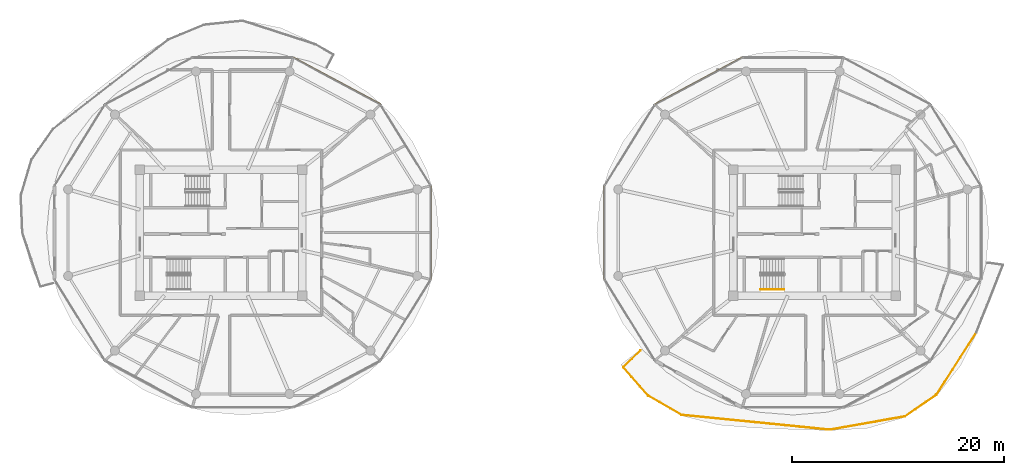
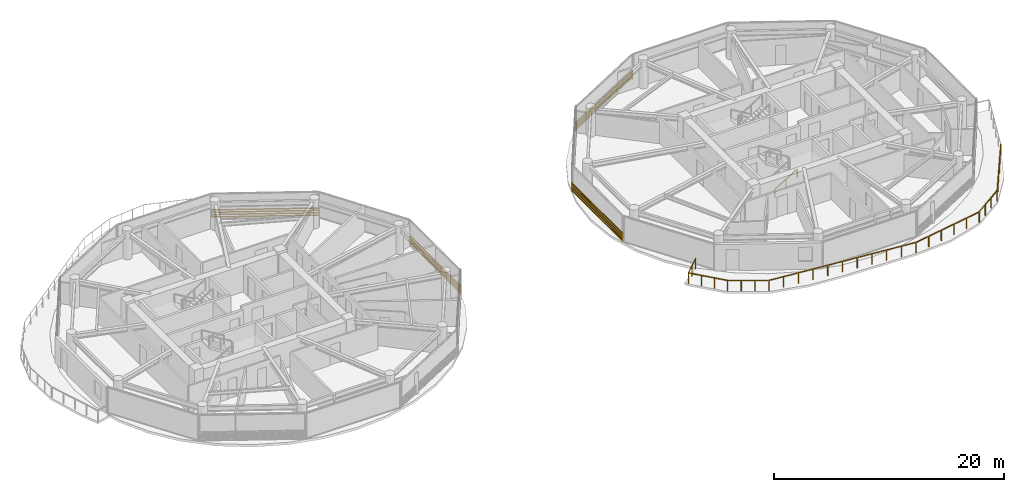
# One storey, part 22 of 24: 4 shading devices, 2 railings.
"""IFC4 building model written with IfcOpenShell, lengths in metres."""

from ifc_helpers import new_model, si_unit, direction, frame, origin, origin_2d, place, context, subcontext, project, spatial, rectangle, extrude, source, transform, mapped, material, type_object, type_shapes, element, save


model = new_model("IFC4")

# Units and contexts
model_context = context("Model", 3, precision=1e-05, world=origin(), true_north=direction((0.0, 1.0)))
body_context = subcontext(model_context, "Body", "Model", "MODEL_VIEW")
ifc_project = project(units=[si_unit("LENGTHUNIT", "METRE"), si_unit("AREAUNIT", "SQUARE_METRE"), si_unit("VOLUMEUNIT", "CUBIC_METRE"), si_unit("PLANEANGLEUNIT", "RADIAN"), si_unit("MASSUNIT", "GRAM", prefix="KILO")], contexts=[model_context])

# Site, building, storey
site_placement = place(None, origin())
site = spatial("IfcSite", under=ifc_project, at=site_placement, CompositionType="ELEMENT")
building_placement = place(site_placement, origin())
building = spatial("IfcBuilding", under=site, at=building_placement, Name="Norrkilde Senior Care Towers", CompositionType="ELEMENT")
storey_placement = place(building_placement, frame((0.0, 0.0, 90.14990234375)))
storey = spatial("IfcBuildingStorey", under=building, at=storey_placement, Name="L27", CompositionType="ELEMENT", Elevation=90.14990234375)

# Railings
ifc_material_1 = material(Name="Anodised Aluminium", Category="aluminium")
railing_type_1 = type_object("IfcRailingType", Name="Balcony Swirl Ribbon Guardrail 1150", PredefinedType="GUARDRAIL", material=ifc_material_1)
railing_1_placement = place(storey_placement, frame((43.26318359375, -9.414306640625, 0.0)))
element("IfcRailing", 1, at=railing_1_placement, inside=storey, type_object=railing_type_1, Name="L27 Perimeter Safety Guard 01", PredefinedType="GUARDRAIL", context=body_context, shape_type="SweptSolid", body=[
    extrude(rectangle(XDim=0.048095703125, YDim=0.048095703125, at=origin_2d()), frame((0.0, 0.0, 1.1259765625), z_axis=(-0.538220612111, -0.842803994235, 0.0), x_axis=(0.842803994235, -0.538220612111, 0.0)), (0.0, 0.0, 1.0), 6.955078125),
    extrude(rectangle(XDim=0.048095703125, YDim=0.048095703125, at=origin_2d()), frame((-3.799072265625, -5.919189453125, 1.1259765625), z_axis=(-0.825897843631, -0.563819786711, 0.0), x_axis=(0.563819786711, -0.825897843631, 0.0)), (0.0, 0.0, 1.0), 3.525146484375),
    extrude(rectangle(XDim=0.048095703125, YDim=0.048095703125, at=origin_2d()), frame((-6.78466796875, -7.93701171875, 1.1259765625), z_axis=(-0.98468073365, -0.174367005993, 0.0), x_axis=(0.174367005993, -0.98468073365, 0.0)), (0.0, 0.0, 1.0), 7.10107421875),
    extrude(rectangle(XDim=0.048095703125, YDim=0.048095703125, at=origin_2d()), frame((-13.85791015625, -9.17822265625, 1.1259765625), z_axis=(-0.995058824824, 0.099287134817, 0.0), x_axis=(-0.099287134817, -0.995058824824, 0.0)), (0.0, 0.0, 1.0), 13.98095703125),
    extrude(rectangle(XDim=0.048095703125, YDim=0.048095703125, at=origin_2d()), frame((-27.845703125, -7.765625, 1.1259765625), z_axis=(-0.865548278814, 0.5008254956, 0.0), x_axis=(-0.5008254956, -0.865548278814, 0.0)), (0.0, 0.0, 1.0), 3.525634765625),
    extrude(rectangle(XDim=0.048095703125, YDim=0.048095703125, at=origin_2d()), frame((-30.959716796875, -5.94873046875, 1.1259765625), z_axis=(-0.661560724382, 0.749891597469, 0.0), x_axis=(-0.749891597469, -0.661560724382, 0.0)), (0.0, 0.0, 1.0), 3.49755859375),
    extrude(rectangle(XDim=0.048095703125, YDim=0.048095703125, at=origin_2d()), frame((-33.271240234375, -3.266845703125, 1.1259765625), z_axis=(0.713754326769, 0.700396145777, 0.0), x_axis=(-0.700396145777, 0.713754326769, 0.0)), (0.0, 0.0, 1.0), 2.24365234375),
    extrude(rectangle(XDim=0.0419921875, YDim=0.0419921875, at=origin_2d()), origin(), (0.0, 0.0, 1.0), 1.099853515625),
    extrude(rectangle(XDim=0.0419921875, YDim=0.0419921875, at=origin_2d()), frame((-0.753173828125, -1.17919921875, 0.0)), (0.0, 0.0, 1.0), 1.099853515625),
    extrude(rectangle(XDim=0.0419921875, YDim=0.0419921875, at=origin_2d()), frame((-1.506103515625, -2.3583984375, 0.0)), (0.0, 0.0, 1.0), 1.099853515625),
    extrude(rectangle(XDim=0.0419921875, YDim=0.0419921875, at=origin_2d()), frame((-2.25927734375, -3.537841796875, 0.0)), (0.0, 0.0, 1.0), 1.099853515625),
    extrude(rectangle(XDim=0.0419921875, YDim=0.0419921875, at=origin_2d()), frame((-3.01220703125, -4.717041015625, 0.0)), (0.0, 0.0, 1.0), 1.099853515625),
    extrude(rectangle(XDim=0.0419921875, YDim=0.0419921875, at=origin_2d()), frame((-3.765380859375, -5.896240234375, 0.0)), (0.0, 0.0, 1.0), 1.099853515625),
    extrude(rectangle(XDim=0.0419921875, YDim=0.0419921875, at=origin_2d()), frame((-4.75830078125, -6.57421875, 0.0)), (0.0, 0.0, 1.0), 1.099853515625),
    extrude(rectangle(XDim=0.0419921875, YDim=0.0419921875, at=origin_2d()), frame((-5.75146484375, -7.251953125, 0.0)), (0.0, 0.0, 1.0), 1.099853515625),
    extrude(rectangle(XDim=0.0419921875, YDim=0.0419921875, at=origin_2d()), frame((-6.744384765625, -7.929931640625, 0.0)), (0.0, 0.0, 1.0), 1.099853515625),
    extrude(rectangle(XDim=0.0419921875, YDim=0.0419921875, at=origin_2d()), frame((-8.158935546875, -8.180419921875, 0.0)), (0.0, 0.0, 1.0), 1.099853515625),
    extrude(rectangle(XDim=0.0419921875, YDim=0.0419921875, at=origin_2d()), frame((-9.573486328125, -8.430908203125, 0.0)), (0.0, 0.0, 1.0), 1.099853515625),
    extrude(rectangle(XDim=0.0419921875, YDim=0.0419921875, at=origin_2d()), frame((-10.988037109375, -8.681396484375, 0.0)), (0.0, 0.0, 1.0), 1.099853515625),
    extrude(rectangle(XDim=0.0419921875, YDim=0.0419921875, at=origin_2d()), frame((-12.402587890625, -8.931884765625, 0.0)), (0.0, 0.0, 1.0), 1.099853515625),
    extrude(rectangle(XDim=0.0419921875, YDim=0.0419921875, at=origin_2d()), frame((-13.817138671875, -9.182373046875, 0.0)), (0.0, 0.0, 1.0), 1.099853515625),
    extrude(rectangle(XDim=0.0419921875, YDim=0.0419921875, at=origin_2d()), frame((-15.216552734375, -9.042724609375, 0.0)), (0.0, 0.0, 1.0), 1.099853515625),
    extrude(rectangle(XDim=0.0419921875, YDim=0.0419921875, at=origin_2d()), frame((-16.61572265625, -8.903076171875, 0.0)), (0.0, 0.0, 1.0), 1.099853515625),
    extrude(rectangle(XDim=0.0419921875, YDim=0.0419921875, at=origin_2d()), frame((-18.01513671875, -8.763427734375, 0.0)), (0.0, 0.0, 1.0), 1.099853515625),
    extrude(rectangle(XDim=0.0419921875, YDim=0.0419921875, at=origin_2d()), frame((-19.414306640625, -8.623779296875, 0.0)), (0.0, 0.0, 1.0), 1.099853515625),
    extrude(rectangle(XDim=0.0419921875, YDim=0.0419921875, at=origin_2d()), frame((-20.813720703125, -8.484375, 0.0)), (0.0, 0.0, 1.0), 1.099853515625),
    extrude(rectangle(XDim=0.0419921875, YDim=0.0419921875, at=origin_2d()), frame((-22.213134765625, -8.3447265625, 0.0)), (0.0, 0.0, 1.0), 1.099853515625),
    extrude(rectangle(XDim=0.0419921875, YDim=0.0419921875, at=origin_2d()), frame((-23.6123046875, -8.205078125, 0.0)), (0.0, 0.0, 1.0), 1.099853515625),
    extrude(rectangle(XDim=0.0419921875, YDim=0.0419921875, at=origin_2d()), frame((-25.01171875, -8.0654296875, 0.0)), (0.0, 0.0, 1.0), 1.099853515625),
    extrude(rectangle(XDim=0.0419921875, YDim=0.0419921875, at=origin_2d()), frame((-26.410888671875, -7.92578125, 0.0)), (0.0, 0.0, 1.0), 1.099853515625),
    extrude(rectangle(XDim=0.0419921875, YDim=0.0419921875, at=origin_2d()), frame((-27.810302734375, -7.7861328125, 0.0)), (0.0, 0.0, 1.0), 1.099853515625),
    extrude(rectangle(XDim=0.0419921875, YDim=0.0419921875, at=origin_2d()), frame((-28.85107421875, -7.183837890625, 0.0)), (0.0, 0.0, 1.0), 1.099853515625),
    extrude(rectangle(XDim=0.0419921875, YDim=0.0419921875, at=origin_2d()), frame((-29.891845703125, -6.581787109375, 0.0)), (0.0, 0.0, 1.0), 1.099853515625),
    extrude(rectangle(XDim=0.0419921875, YDim=0.0419921875, at=origin_2d()), frame((-30.9326171875, -5.9794921875, 0.0)), (0.0, 0.0, 1.0), 1.099853515625),
    extrude(rectangle(XDim=0.0419921875, YDim=0.0419921875, at=origin_2d()), frame((-31.721923828125, -5.084716796875, 0.0)), (0.0, 0.0, 1.0), 1.099853515625),
    extrude(rectangle(XDim=0.0419921875, YDim=0.0419921875, at=origin_2d()), frame((-32.51123046875, -4.190185546875, 0.0)), (0.0, 0.0, 1.0), 1.099853515625),
    extrude(rectangle(XDim=0.0419921875, YDim=0.0419921875, at=origin_2d()), frame((-33.300537109375, -3.29541015625, 0.0)), (0.0, 0.0, 1.0), 1.099853515625),
    extrude(rectangle(XDim=0.0419921875, YDim=0.0419921875, at=origin_2d()), frame((-32.4853515625, -2.495361328125, 0.0)), (0.0, 0.0, 1.0), 1.099853515625),
    extrude(rectangle(XDim=0.0419921875, YDim=0.0419921875, at=origin_2d()), frame((-31.669921875, -1.6953125, 0.0)), (0.0, 0.0, 1.0), 1.099853515625),
])
ifc_material_2 = material(Name="Nordic Ash Timber", Category="wood")
railing_type_2 = type_object("IfcRailingType", Name="Wall and Stair Handrail 900", PredefinedType="HANDRAIL", material=ifc_material_2)
railing_2_placement = place(storey_placement, frame((22.89990234375, -5.35009765625, 0.16943359375)))
element("IfcRailing", 2, at=railing_2_placement, inside=storey, type_object=railing_type_2, Name="L27 ST-E2 stair handrail 1", PredefinedType="HANDRAIL", context=body_context, shape_type="SweptSolid", body=[
    extrude(rectangle(XDim=0.048095703125, YDim=0.048095703125, at=origin_2d()), frame((0.0, 0.0, 0.8759765625), z_axis=(0.855512035549, 0.0, 0.517782924622), x_axis=(0.0, 1.0, 0.0)), (0.0, 0.0, 1.0), 2.618408203125),
    extrude(rectangle(XDim=0.0419921875, YDim=0.0419921875, at=origin_2d()), origin(), (0.0, 0.0, 1.0), 0.849853515625),
    extrude(rectangle(XDim=0.0419921875, YDim=0.0419921875, at=origin_2d()), frame((1.1201171875, 0.0, 0.677734375)), (0.0, 0.0, 1.0), 0.849853515625),
    extrude(rectangle(XDim=0.0419921875, YDim=0.0419921875, at=origin_2d()), frame((2.239990234375, 0.0, 1.355712890625)), (0.0, 0.0, 1.0), 0.849853515625),
])

# Shading devices
ifc_material_3 = material(Name="Architectural Terracotta", Category="masonry")
shading_device_type = type_object("IfcShadingDeviceType", Name="Horizontal Terracotta Baguette Rack", PredefinedType="USERDEFINED", material=ifc_material_3)
shared_shape_1 = source(origin(), body_context, "Body", "SweptSolid", [
    extrude(rectangle(XDim=0.070068359375, YDim=0.110107421875, at=origin_2d()), frame((0.0, 0.090087890625, 0.125), z_axis=(1.0, 0.0, 0.0), x_axis=(0.0, 1.0, 0.0)), (0.0, 0.0, 1.0), 9.3505859375),
    extrude(rectangle(XDim=0.070068359375, YDim=0.110107421875, at=origin_2d()), frame((0.0, 0.090087890625, 0.375), z_axis=(1.0, 0.0, 0.0), x_axis=(0.0, 1.0, 0.0)), (0.0, 0.0, 1.0), 9.3505859375),
    extrude(rectangle(XDim=0.070068359375, YDim=0.110107421875, at=origin_2d()), frame((0.0, 0.090087890625, 0.625), z_axis=(1.0, 0.0, 0.0), x_axis=(0.0, 1.0, 0.0)), (0.0, 0.0, 1.0), 9.3505859375),
    extrude(rectangle(XDim=0.070068359375, YDim=0.110107421875, at=origin_2d()), frame((0.0, 0.090087890625, 0.875), z_axis=(1.0, 0.0, 0.0), x_axis=(0.0, 1.0, 0.0)), (0.0, 0.0, 1.0), 9.3505859375),
    extrude(rectangle(XDim=0.050048828125, YDim=0.1552734375, at=origin_2d()), frame((0.02490234375, 0.047607421875, 0.0)), (0.0, 0.0, 1.0), 1.0),
    extrude(rectangle(XDim=0.050048828125, YDim=0.1552734375, at=origin_2d()), frame((9.32568359375, 0.047607421875, 0.0)), (0.0, 0.0, 1.0), 1.0),
])
for number, where, z_axis, x_axis, name in (
    (3, (-21.19287109375, 16.498046875, 0.080078125), (0.0, 0.0, 1.0), (0.881174934726, -0.472767624021, 0.0), "L27 Drum W Terracotta Baguette Screen 01"),
    (4, (12.953369140625, 12.077392578125, 0.080078125), (0.0, 0.0, 1.0), (0.881174934726, 0.472767624021, 0.0), "L27 Drum E Terracotta Baguette Screen 03"),
):
    element("IfcShadingDevice", number, at=place(storey_placement, frame(where, z_axis=z_axis, x_axis=x_axis)), inside=storey, type_object=shading_device_type, Name=name, ObjectType="BAGUETTE", PredefinedType="USERDEFINED", context=body_context, shape_type="MappedRepresentation", body=[
        mapped(shared_shape_1, transform((0.0, 0.0, 0.0), x_axis=(1.0, 0.0, 0.0), y_axis=(0.0, 1.0, 0.0), z_axis=(0.0, 0.0, 1.0), scale=1.0)),
    ])
shared_shape_2 = source(origin(), body_context, "Body", "SweptSolid", [
    extrude(rectangle(XDim=0.070068359375, YDim=0.110107421875, at=origin_2d()), frame((0.0, 0.090087890625, 0.125), z_axis=(1.0, 0.0, 0.0), x_axis=(0.0, 1.0, 0.0)), (0.0, 0.0, 1.0), 8.84130859375),
    extrude(rectangle(XDim=0.070068359375, YDim=0.110107421875, at=origin_2d()), frame((0.0, 0.090087890625, 0.375), z_axis=(1.0, 0.0, 0.0), x_axis=(0.0, 1.0, 0.0)), (0.0, 0.0, 1.0), 8.84130859375),
    extrude(rectangle(XDim=0.070068359375, YDim=0.110107421875, at=origin_2d()), frame((0.0, 0.090087890625, 0.625), z_axis=(1.0, 0.0, 0.0), x_axis=(0.0, 1.0, 0.0)), (0.0, 0.0, 1.0), 8.84130859375),
    extrude(rectangle(XDim=0.070068359375, YDim=0.110107421875, at=origin_2d()), frame((0.0, 0.090087890625, 0.875), z_axis=(1.0, 0.0, 0.0), x_axis=(0.0, 1.0, 0.0)), (0.0, 0.0, 1.0), 8.84130859375),
    extrude(rectangle(XDim=0.050048828125, YDim=0.1552734375, at=origin_2d()), frame((0.02490234375, 0.047607421875, 0.0)), (0.0, 0.0, 1.0), 1.0),
    extrude(rectangle(XDim=0.050048828125, YDim=0.1552734375, at=origin_2d()), frame((8.81640625, 0.047607421875, 0.0)), (0.0, 0.0, 1.0), 1.0),
])
type_shapes(shading_device_type, [shared_shape_1, shared_shape_2])
for number, where, z_axis, x_axis, name in (
    (5, (-8.1962890625, 4.420654296875, 0.080078125), (0.0, 0.0, 1.0), (0.0, -1.0, 0.0), "L27 Drum W Terracotta Baguette Screen 11"),
    (6, (8.1962890625, -4.420654296875, 0.080078125), (0.0, 0.0, 1.0), (0.0, 1.0, 0.0), "L27 Drum E Terracotta Baguette Screen 05"),
):
    element("IfcShadingDevice", number, at=place(storey_placement, frame(where, z_axis=z_axis, x_axis=x_axis)), inside=storey, type_object=shading_device_type, Name=name, ObjectType="BAGUETTE", PredefinedType="USERDEFINED", context=body_context, shape_type="MappedRepresentation", body=[
        mapped(shared_shape_2, transform((0.0, 0.0, 0.0), x_axis=(1.0, 0.0, 0.0), y_axis=(0.0, 1.0, 0.0), z_axis=(0.0, 0.0, 1.0), scale=1.0)),
    ])

save(model, "model.ifc")
